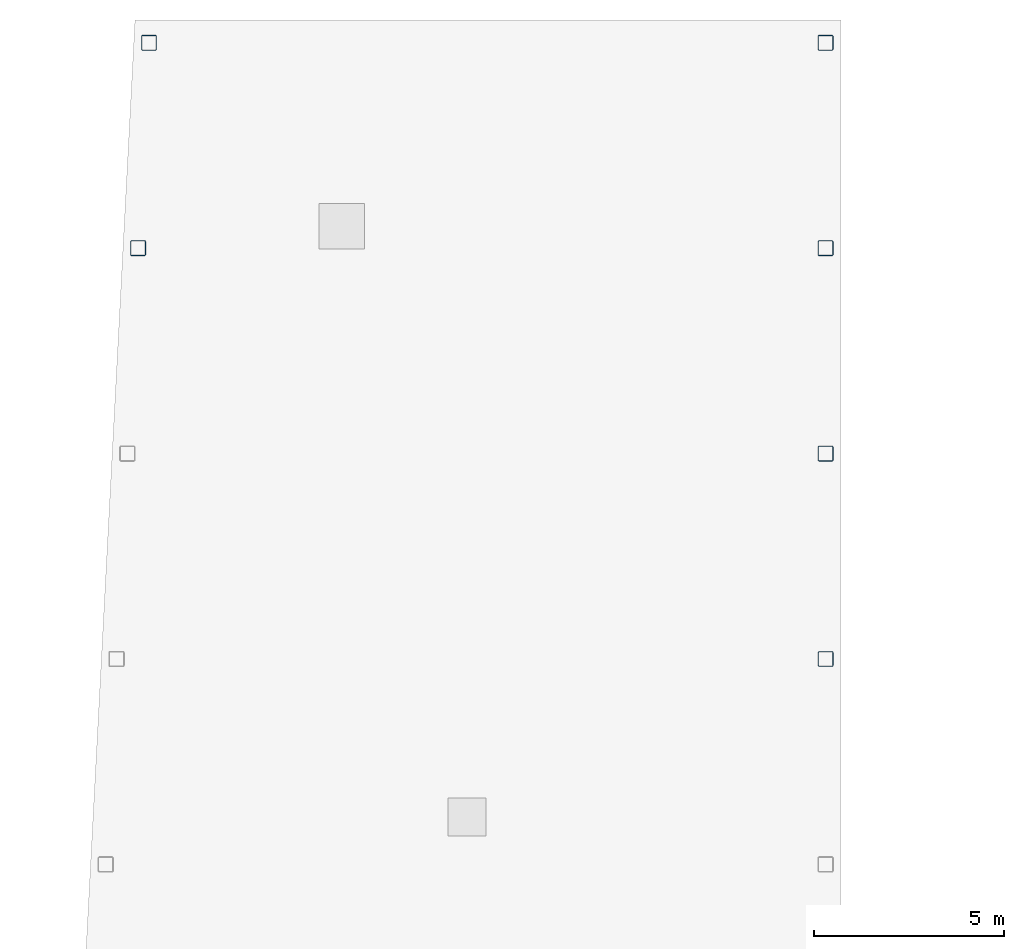
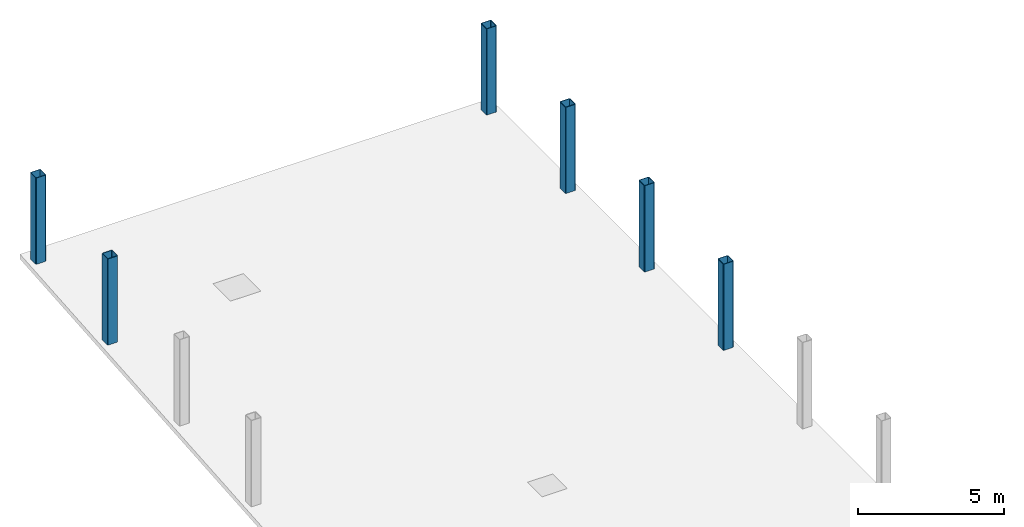
# One storey, part 2 of 3: 6 columns.
"""IFC4 building model written with IfcOpenShell, lengths in metres."""

from ifc_helpers import new_model, si_unit, direction, frame, origin, origin_2d, place, context, subcontext, project, spatial, hollow_rectangle, extrude, material, material_profile, profile_set, type_object, element, save


model = new_model("IFC4")

# Units and contexts
model_context = context("Model", 3, precision=1e-05, world=origin(), true_north=direction((0.0, 1.0)))
body_context = subcontext(model_context, "Body", "Model", "MODEL_VIEW")
ifc_project = project(units=[si_unit("LENGTHUNIT", "METRE"), si_unit("AREAUNIT", "SQUARE_METRE"), si_unit("VOLUMEUNIT", "CUBIC_METRE"), si_unit("PLANEANGLEUNIT", "RADIAN"), si_unit("MASSUNIT", "GRAM", prefix="KILO")], contexts=[model_context])

# Site, building, storey
site_placement = place(None, origin())
site = spatial("IfcSite", under=ifc_project, at=site_placement, CompositionType="ELEMENT")
building_placement = place(site_placement, origin())
building = spatial("IfcBuilding", under=site, at=building_placement, Name="Kheshtan School and Residences Tower", CompositionType="ELEMENT")
storey_placement = place(building_placement, frame((0.0, 0.0, 412.800048828125)))
storey = spatial("IfcBuildingStorey", under=building, at=storey_placement, Name="Roof", CompositionType="ELEMENT", Elevation=412.800048828125)

# Columns
ifc_material = material(Name="Steel ASTM A500 Grade C", Category="steel")
ifc_material_profile = material_profile(ifc_material, hollow_rectangle(XDim=0.406005859375, YDim=0.406005859375, WallThickness=0.01904296875, InnerFilletRadius=0.01904296875, OuterFilletRadius=0.0380859375, at=origin_2d()), Name="HSS 406x406x19")
ifc_profile_set = profile_set([ifc_material_profile], Name="Steel ASTM A500 Grade C")
column_type = type_object("IfcColumnType", Name="Column CF1 HSS 406x406x19 ASTM A500 Grade C", PredefinedType="COLUMN", material=ifc_profile_set)
for number, where, z_axis, x_axis, name in (
    (1, (47.60009765625, 72.60009765625, 0.0), (0.0, 0.0, 1.0), (1.0, 0.0, 0.0), "Crown frame post C087"),
    (2, (47.60009765625, 78.0, 0.0), (0.0, 0.0, 1.0), (1.0, 0.0, 0.0), "Crown frame post C089"),
    (3, (29.527099609375, 83.39990234375, 0.0), (0.0, 0.0, 1.0), (1.0, 0.0, 0.0), "Crown frame post C090"),
    (4, (47.60009765625, 83.39990234375, 0.0), (0.0, 0.0, 1.0), (1.0, 0.0, 0.0), "Crown frame post C091"),
    (5, (29.81103515625, 88.800048828125, 0.0), (0.0, 0.0, 1.0), (1.0, 0.0, 0.0), "Crown frame post C098"),
    (6, (47.60009765625, 88.800048828125, 0.0), (0.0, 0.0, 1.0), (1.0, 0.0, 0.0), "Crown frame post C099"),
):
    element("IfcColumn", number, at=place(storey_placement, frame(where, z_axis=z_axis, x_axis=x_axis)), inside=storey, type_object=column_type, Name=name, PredefinedType="COLUMN", context=body_context, shape_type="SweptSolid", body=[
        extrude(hollow_rectangle(XDim=0.406005859375, YDim=0.406005859375, WallThickness=0.01904296875, InnerFilletRadius=0.01904296875, OuterFilletRadius=0.0380859375, at=origin_2d()), origin(), (0.0, 0.0, 1.0), 3.599853515625),
    ])

save(model, "model.ifc")
